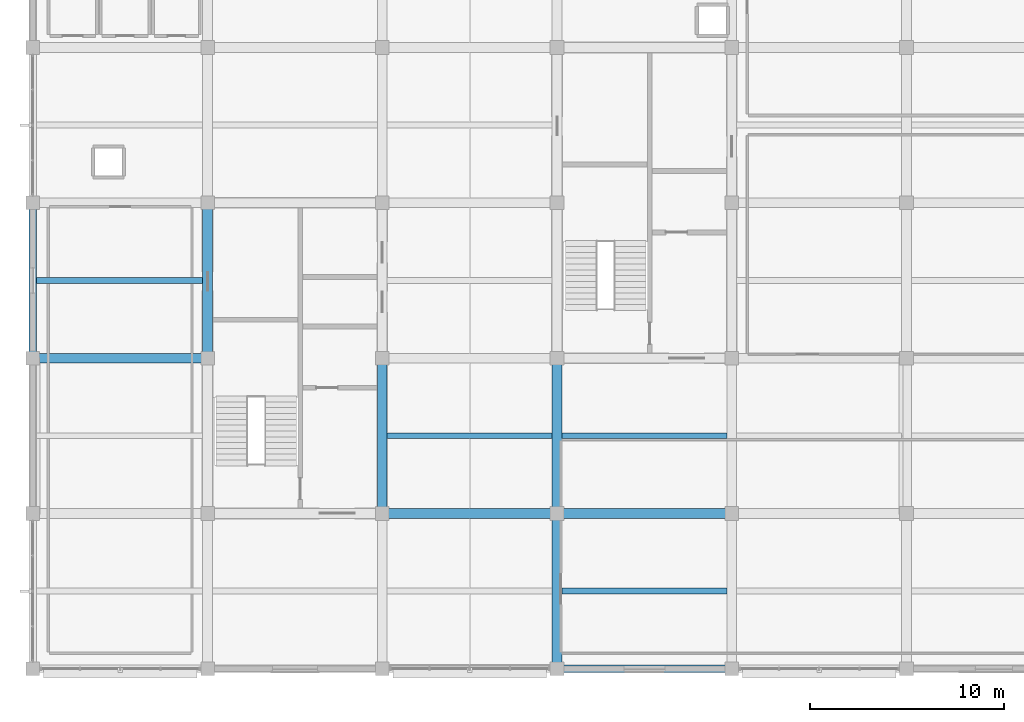
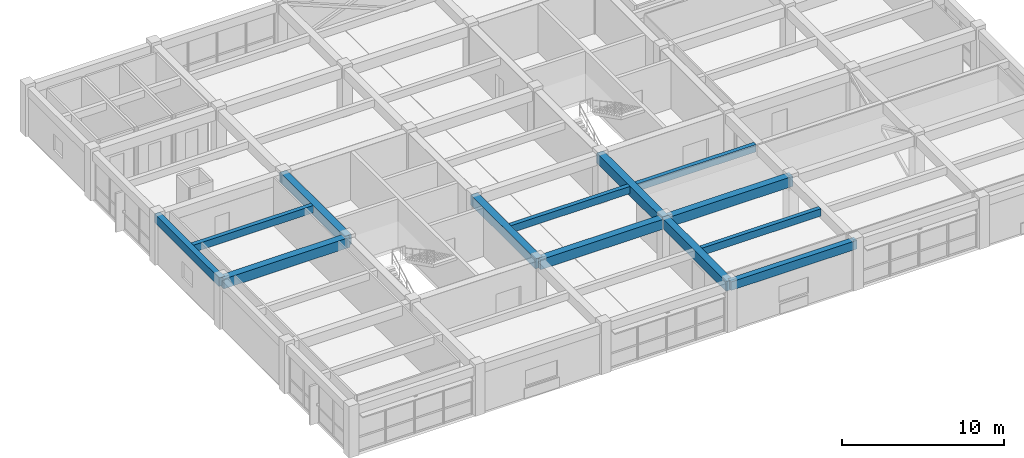
# One storey, part 3 of 13: 13 beams.
"""IFC4 building model written with IfcOpenShell, lengths in metres."""

from ifc_helpers import new_model, si_unit, direction, frame, origin, origin_2d, place, context, subcontext, project, spatial, rectangle, extrude, material, material_profile, profile_set, type_object, element, save


model = new_model("IFC4")

# Units and contexts
model_context = context("Model", 3, precision=1e-05, world=origin(), true_north=direction((0.0, 1.0)))
body_context = subcontext(model_context, "Body", "Model", "MODEL_VIEW")
ifc_project = project(units=[si_unit("LENGTHUNIT", "METRE"), si_unit("AREAUNIT", "SQUARE_METRE"), si_unit("VOLUMEUNIT", "CUBIC_METRE"), si_unit("PLANEANGLEUNIT", "RADIAN"), si_unit("MASSUNIT", "GRAM", prefix="KILO")], contexts=[model_context])

# Site, building, storey
site_placement = place(None, origin())
site = spatial("IfcSite", under=ifc_project, at=site_placement, CompositionType="ELEMENT")
building_placement = place(site_placement, origin())
building = spatial("IfcBuilding", under=site, at=building_placement, Name="Zaverband Oceanarium and Marine Research Institute", CompositionType="ELEMENT")
storey_placement = place(building_placement, frame((0.0, 0.0, 60.89990234375)))
storey = spatial("IfcBuildingStorey", under=building, at=storey_placement, Name="L15", CompositionType="ELEMENT", Elevation=60.89990234375)

# Beams
ifc_material = material(Name="Concrete C40/50", Category="concrete")
ifc_material_profile_1 = material_profile(ifc_material, rectangle(XDim=0.5, YDim=0.75, at=origin_2d()), Name="RC500x750")
ifc_profile_set_1 = profile_set([ifc_material_profile_1], Name="Concrete C40/50")
beam_type_1 = type_object("IfcBeamType", Name="BM-500x750", PredefinedType="BEAM", material=ifc_profile_set_1)
for number, where, z_axis, x_axis, name in (
    (1, (27.0, 80.0, 3.275146484375), (1.0, 0.0, 0.0), (0.0, 1.0, 0.0), "Primary floor girder BM-500x750"),
    (2, (36.0, 80.0, 3.275146484375), (1.0, 0.0, 0.0), (0.0, 1.0, 0.0), "Primary floor girder BM-500x750"),
    (3, (9.0, 88.0, 3.275146484375), (1.0, 0.0, 0.0), (0.0, 1.0, 0.0), "Primary floor girder BM-500x750"),
):
    element("IfcBeam", number, at=place(storey_placement, frame(where, z_axis=z_axis, x_axis=x_axis)), inside=storey, type_object=beam_type_1, Name=name, PredefinedType="BEAM", context=body_context, shape_type="SweptSolid", body=[
        extrude(rectangle(XDim=0.5, YDim=0.75, at=origin_2d()), origin(), (0.0, 0.0, 1.0), 9.0),
    ])
for number, where, z_axis, x_axis, name in (
    (4, (18.0, 88.0, 3.275146484375), (0.0, 1.0, 0.0), (-1.0, 0.0, 0.0), "Primary floor girder BM-500x750"),
    (5, (27.0, 80.0, 3.275146484375), (0.0, 1.0, 0.0), (-1.0, 0.0, 0.0), "Primary floor girder BM-500x750"),
    (6, (36.0, 72.0, 3.275146484375), (0.0, 1.0, 0.0), (-1.0, 0.0, 0.0), "Primary floor girder BM-500x750"),
    (7, (36.0, 80.0, 3.275146484375), (0.0, 1.0, 0.0), (-1.0, 0.0, 0.0), "Primary floor girder BM-500x750"),
):
    element("IfcBeam", number, at=place(storey_placement, frame(where, z_axis=z_axis, x_axis=x_axis)), inside=storey, type_object=beam_type_1, Name=name, PredefinedType="BEAM", context=body_context, shape_type="SweptSolid", body=[
        extrude(rectangle(XDim=0.5, YDim=0.75, at=origin_2d()), origin(), (0.0, 0.0, 1.0), 8.0),
    ])
ifc_material_profile_2 = material_profile(ifc_material, rectangle(XDim=0.300048828125, YDim=0.550048828125, at=origin_2d()), Name="RC300x550")
ifc_profile_set_2 = profile_set([ifc_material_profile_2], Name="Concrete C40/50")
beam_type_2 = type_object("IfcBeamType", Name="JST-300x550", PredefinedType="JOIST", material=ifc_profile_set_2)
beam_1_placement = place(storey_placement, frame((9.199951171875, 92.0, 3.375), z_axis=(1.0, 0.0, 0.0), x_axis=(0.0, 1.0, 0.0)))
element("IfcBeam", 8, at=beam_1_placement, inside=storey, type_object=beam_type_2, Name="Secondary floor joist JST-300x550", PredefinedType="JOIST", context=body_context, shape_type="SweptSolid", body=[
    extrude(rectangle(XDim=0.300048828125, YDim=0.550048828125, at=origin_2d()), origin(), (0.0, 0.0, 1.0), 8.550048828125),
])
for number, where, z_axis, x_axis, name in (
    (9, (27.25, 84.0, 3.375), (1.0, 0.0, 0.0), (0.0, 1.0, 0.0), "Secondary floor joist JST-300x550"),
    (10, (36.25, 76.0, 3.375), (1.0, 0.0, 0.0), (0.0, 1.0, 0.0), "Secondary floor joist JST-300x550"),
    (11, (36.25, 84.0, 3.375), (1.0, 0.0, 0.0), (0.0, 1.0, 0.0), "Secondary floor joist JST-300x550"),
):
    element("IfcBeam", number, at=place(storey_placement, frame(where, z_axis=z_axis, x_axis=x_axis)), inside=storey, type_object=beam_type_2, Name=name, PredefinedType="JOIST", context=body_context, shape_type="SweptSolid", body=[
        extrude(rectangle(XDim=0.300048828125, YDim=0.550048828125, at=origin_2d()), origin(), (0.0, 0.0, 1.0), 8.5),
    ])
ifc_material_profile_3 = material_profile(ifc_material, rectangle(XDim=0.39990234375, YDim=0.64990234375, at=origin_2d()), Name="RC400x650")
ifc_profile_set_3 = profile_set([ifc_material_profile_3], Name="Concrete C40/50")
beam_type_3 = type_object("IfcBeamType", Name="SPN-400x650", PredefinedType="SPANDREL", material=ifc_profile_set_3)
beam_2_placement = place(storey_placement, frame((36.0, 72.0, 3.3251953125), z_axis=(1.0, 0.0, 0.0), x_axis=(0.0, 1.0, 0.0)))
element("IfcBeam", 12, at=beam_2_placement, inside=storey, type_object=beam_type_3, Name="Perimeter spandrel beam SPN-400x650", PredefinedType="SPANDREL", context=body_context, shape_type="SweptSolid", body=[
    extrude(rectangle(XDim=0.39990234375, YDim=0.64990234375, at=origin_2d()), origin(), (0.0, 0.0, 1.0), 9.0),
])
beam_3_placement = place(storey_placement, frame((9.0, 88.0, 3.3251953125), z_axis=(0.0, 1.0, 0.0), x_axis=(-1.0, 0.0, 0.0)))
element("IfcBeam", 13, at=beam_3_placement, inside=storey, type_object=beam_type_3, Name="Perimeter spandrel beam SPN-400x650", PredefinedType="SPANDREL", context=body_context, shape_type="SweptSolid", body=[
    extrude(rectangle(XDim=0.39990234375, YDim=0.64990234375, at=origin_2d()), origin(), (0.0, 0.0, 1.0), 8.0),
])

save(model, "model.ifc")
